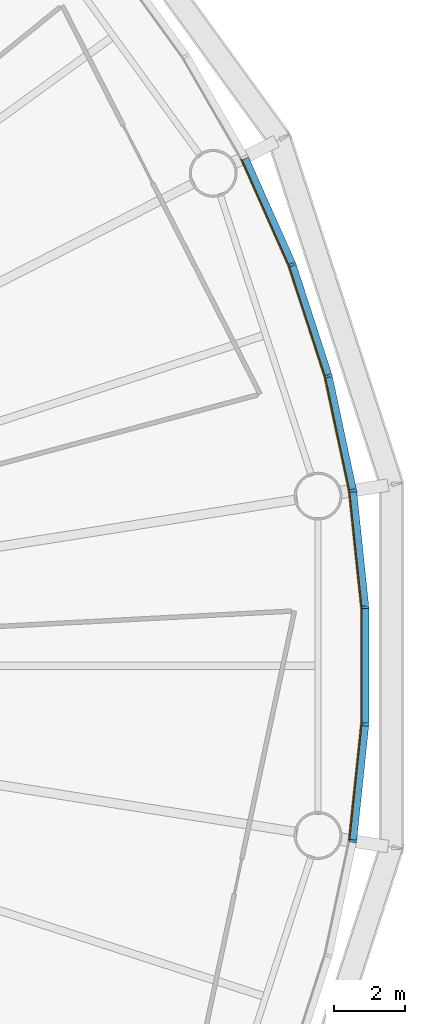
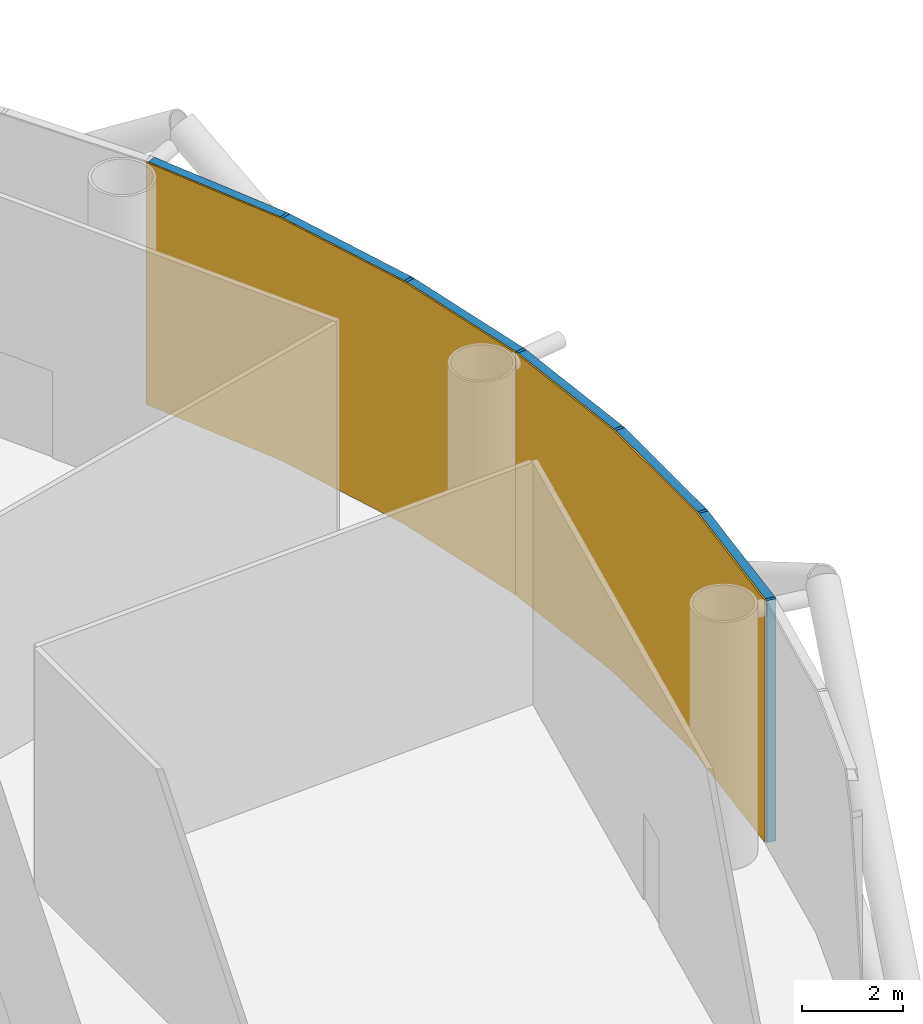
# One storey, part 11 of 14: 12 members, 2 curtain walls.
"""IFC4 building model written with IfcOpenShell, lengths in metres."""

from ifc_helpers import new_model, si_unit, direction, frame, origin, origin_2d, place, context, subcontext, project, spatial, polyline, rectangle, outline, extrude, material, layer, layer_set, material_profile, profile_set, type_object, element, aggregate, save


model = new_model("IFC4")

# Units and contexts
model_context = context("Model", 3, precision=1e-05, world=origin(), true_north=direction((0.0, 1.0)))
body_context = subcontext(model_context, "Body", "Model", "MODEL_VIEW")
ifc_project = project(units=[si_unit("LENGTHUNIT", "METRE"), si_unit("AREAUNIT", "SQUARE_METRE"), si_unit("VOLUMEUNIT", "CUBIC_METRE"), si_unit("PLANEANGLEUNIT", "RADIAN"), si_unit("MASSUNIT", "GRAM", prefix="KILO")], contexts=[model_context])

# Member
ifc_material_1 = material(Name="Anodised aluminium", Category="aluminium")
ifc_material_profile_1 = material_profile(ifc_material_1, rectangle(XDim=0.070068359375, YDim=0.199951171875, at=origin_2d()), Name="Mullion 70 x 200 mm anodised aluminium")
ifc_profile_set_1 = profile_set([ifc_material_profile_1], Name="Anodised aluminium")
member_type_1 = type_object("IfcMemberType", Name="Mullion 70 x 200 mm anodised aluminium", PredefinedType="MULLION", material=ifc_profile_set_1)
site_placement = place(None, origin())
building_placement = place(site_placement, origin())
storey_placement = place(building_placement, frame((0.0, 0.0, 132.0)))
member_1_placement = place(storey_placement, frame((121.2109375, 84.943359375, 0.0), z_axis=(0.0, 0.0, 1.0), x_axis=(-0.15643446504, 0.987688340595, 0.0)))
member_1 = element("IfcMember", 1, at=member_1_placement, type_object=member_type_1, Name="MULLION L30-00", PredefinedType="MULLION", context=body_context, shape_type="SweptSolid", body=[
    extrude(rectangle(XDim=0.070068359375, YDim=0.199951171875, at=origin_2d()), origin(), (0.0, 0.0, 1.0), 5.85009765625),
])

member_2_placement = place(storey_placement, frame((120.523193359375, 88.1787109375, 0.0), z_axis=(0.0, 0.0, 1.0), x_axis=(-0.258819045103, 0.965925826289, 0.0)))
member_2 = element("IfcMember", 2, at=member_2_placement, type_object=member_type_1, Name="MULLION L30-01", PredefinedType="MULLION", context=body_context, shape_type="SweptSolid", body=[
    extrude(rectangle(XDim=0.070068359375, YDim=0.199951171875, at=origin_2d()), origin(), (0.0, 0.0, 1.0), 5.85009765625),
])

member_3_placement = place(storey_placement, frame((119.501220703125, 91.324462890625, 0.0), z_axis=(0.0, 0.0, 1.0), x_axis=(-0.358367949545, 0.933580426497, 0.0)))
member_3 = element("IfcMember", 3, at=member_3_placement, type_object=member_type_1, Name="MULLION L30-02", PredefinedType="MULLION", context=body_context, shape_type="SweptSolid", body=[
    extrude(rectangle(XDim=0.070068359375, YDim=0.199951171875, at=origin_2d()), origin(), (0.0, 0.0, 1.0), 5.85009765625),
])

member_4_placement = place(storey_placement, frame((121.2109375, 75.056640625, 0.0), z_axis=(0.0, 0.0, 1.0), x_axis=(0.15643446504, 0.987688340595, 0.0)))
member_4 = element("IfcMember", 4, at=member_4_placement, type_object=member_type_1, Name="MULLION L30-57", PredefinedType="MULLION", context=body_context, shape_type="SweptSolid", body=[
    extrude(rectangle(XDim=0.070068359375, YDim=0.199951171875, at=origin_2d()), origin(), (0.0, 0.0, 1.0), 5.85009765625),
])

member_5_placement = place(storey_placement, frame((121.556640625, 78.34619140625, 0.0), z_axis=(0.0, 0.0, 1.0), x_axis=(0.052335956243, 0.998629534755, 0.0)))
member_5 = element("IfcMember", 5, at=member_5_placement, type_object=member_type_1, Name="MULLION L30-58", PredefinedType="MULLION", context=body_context, shape_type="SweptSolid", body=[
    extrude(rectangle(XDim=0.070068359375, YDim=0.199951171875, at=origin_2d()), origin(), (0.0, 0.0, 1.0), 5.85009765625),
])

member_6_placement = place(storey_placement, frame((121.556640625, 81.65380859375, 0.0), z_axis=(0.0, 0.0, 1.0), x_axis=(-0.052335956243, 0.998629534755, 0.0)))
member_6 = element("IfcMember", 6, at=member_6_placement, type_object=member_type_1, Name="MULLION L30-59", PredefinedType="MULLION", context=body_context, shape_type="SweptSolid", body=[
    extrude(rectangle(XDim=0.070068359375, YDim=0.199951171875, at=origin_2d()), origin(), (0.0, 0.0, 1.0), 5.85009765625),
])

ifc_material_2 = material(Name="Anodised aluminium", Category="aluminium")
ifc_material_profile_2 = material_profile(ifc_material_2, rectangle(XDim=0.199951171875, YDim=0.18994140625, at=origin_2d()), Name="Transom 190 x 200 mm anodised aluminium")
ifc_profile_set_2 = profile_set([ifc_material_profile_2], Name="Anodised aluminium")
member_type_2 = type_object("IfcMemberType", Name="Transom 190 x 200 mm anodised aluminium", PredefinedType="USERDEFINED", material=ifc_profile_set_2)
member_7_placement = place(storey_placement, frame((121.20263671875, 84.982666015625, 5.7548828125), z_axis=(-0.207885898771, 0.978153082647, 0.0), x_axis=(-0.978153082647, -0.207885898771, 0.0)))
member_7 = element("IfcMember", 7, at=member_7_placement, type_object=member_type_2, Name="TRANSOM L30-00", ObjectType="TRANSOM", PredefinedType="USERDEFINED", context=body_context, shape_type="SweptSolid", body=[
    extrude(rectangle(XDim=0.199951171875, YDim=0.18994140625, at=origin_2d()), origin(), (0.0, 0.0, 1.0), 3.227294921875),
])

member_8_placement = place(storey_placement, frame((120.510986328125, 88.217041015625, 5.7548828125), z_axis=(-0.309046726844, 0.951046855117, 0.0), x_axis=(-0.951046855117, -0.309046726844, 0.0)))
member_8 = element("IfcMember", 8, at=member_8_placement, type_object=member_type_2, Name="TRANSOM L30-01", ObjectType="TRANSOM", PredefinedType="USERDEFINED", context=body_context, shape_type="SweptSolid", body=[
    extrude(rectangle(XDim=0.199951171875, YDim=0.18994140625, at=origin_2d()), origin(), (0.0, 0.0, 1.0), 3.22705078125),
])

member_9_placement = place(storey_placement, frame((119.48486328125, 91.361328125, 5.7548828125), z_axis=(-0.406728032322, 0.913549291349, 0.0), x_axis=(-0.913549291349, -0.406728032322, 0.0)))
member_9 = element("IfcMember", 9, at=member_9_placement, type_object=member_type_2, Name="TRANSOM L30-02", ObjectType="TRANSOM", PredefinedType="USERDEFINED", context=body_context, shape_type="SweptSolid", body=[
    extrude(rectangle(XDim=0.199951171875, YDim=0.18994140625, at=origin_2d()), origin(), (0.0, 0.0, 1.0), 3.22705078125),
])

member_10_placement = place(storey_placement, frame((121.21533203125, 75.0966796875, 5.7548828125), z_axis=(0.104550890115, 0.994519537956, 0.0), x_axis=(-0.994519537956, 0.104550890115, 0.0)))
member_10 = element("IfcMember", 10, at=member_10_placement, type_object=member_type_2, Name="TRANSOM L30-57", ObjectType="TRANSOM", PredefinedType="USERDEFINED", context=body_context, shape_type="SweptSolid", body=[
    extrude(rectangle(XDim=0.199951171875, YDim=0.18994140625, at=origin_2d()), origin(), (0.0, 0.0, 1.0), 3.22705078125),
])

member_11_placement = place(storey_placement, frame((121.556884765625, 78.386474609375, 5.7548828125), z_axis=(0.0, 1.0, 0.0), x_axis=(-1.0, 0.0, 0.0)))
member_11 = element("IfcMember", 11, at=member_11_placement, type_object=member_type_2, Name="TRANSOM L30-58", ObjectType="TRANSOM", PredefinedType="USERDEFINED", context=body_context, shape_type="SweptSolid", body=[
    extrude(rectangle(XDim=0.199951171875, YDim=0.18994140625, at=origin_2d()), origin(), (0.0, 0.0, 1.0), 3.22705078125),
])

member_12_placement = place(storey_placement, frame((121.552734375, 81.69384765625, 5.7548828125), z_axis=(-0.104550890115, 0.994519537956, 0.0), x_axis=(-0.994519537956, -0.104550890115, 0.0)))
member_12 = element("IfcMember", 12, at=member_12_placement, type_object=member_type_2, Name="TRANSOM L30-59", ObjectType="TRANSOM", PredefinedType="USERDEFINED", context=body_context, shape_type="SweptSolid", body=[
    extrude(rectangle(XDim=0.199951171875, YDim=0.18994140625, at=origin_2d()), origin(), (0.0, 0.0, 1.0), 3.22705078125),
])

# Site, building, storey
site = spatial("IfcSite", under=ifc_project, at=site_placement, CompositionType="ELEMENT")
building = spatial("IfcBuilding", under=site, at=building_placement, Name="Entoto Ring Tower", CompositionType="ELEMENT")
storey = spatial("IfcBuildingStorey", under=building, at=storey_placement, Name="L30", CompositionType="ELEMENT", Elevation=132.0)

# Curtain wall
ifc_material_3 = material(Name="Clear low-iron glass", Category="glass")
ifc_layer = layer(ifc_material_3, 0.035888671875)
ifc_layer_set = layer_set([ifc_layer], Name="Clear low-iron glass")
curtain_wall_type = type_object("IfcCurtainWallType", Name="Curtain wall system CW2 glazing 36 mm", PredefinedType="NOTDEFINED", material=ifc_layer_set)
curtain_wall_1_placement = place(storey_placement, origin())
curtain_wall_1 = element("IfcCurtainWall", 13, at=curtain_wall_1_placement, inside=storey, type_object=curtain_wall_type, Name="CW2 L30-01", PredefinedType="NOTDEFINED", context=body_context, shape_type="SweptSolid", body=[
    extrude(outline(polyline([(121.1123046875, 84.927734375), (120.4267578125, 88.15283203125), (119.40771484375, 91.28857421875), (118.066650390625, 94.30078125), (118.03466796875, 94.284423828125), (119.3740234375, 91.275634765625), (120.391845703125, 88.1435546875), (121.07666015625, 84.922119140625), (121.1123046875, 84.927734375)])), origin(), (0.0, 0.0, 1.0), 5.85009765625),
])

aggregate(curtain_wall_1, [member_1, member_2, member_3, member_7, member_8, member_9])

curtain_wall_2_placement = place(storey_placement, origin())
curtain_wall_2 = element("IfcCurtainWall", 14, at=curtain_wall_2_placement, inside=storey, type_object=curtain_wall_type, Name="CW2 L30-20", PredefinedType="NOTDEFINED", context=body_context, shape_type="SweptSolid", body=[
    extrude(outline(polyline([(121.1123046875, 75.072265625), (121.456787109375, 78.351318359375), (121.456787109375, 81.648681640625), (121.1123046875, 84.927734375), (121.07666015625, 84.922119140625), (121.4208984375, 81.646728515625), (121.4208984375, 78.353271484375), (121.07666015625, 75.077880859375), (121.1123046875, 75.072265625)])), origin(), (0.0, 0.0, 1.0), 5.85009765625),
])

aggregate(curtain_wall_2, [member_4, member_5, member_6, member_10, member_11, member_12])

save(model, "model.ifc")
